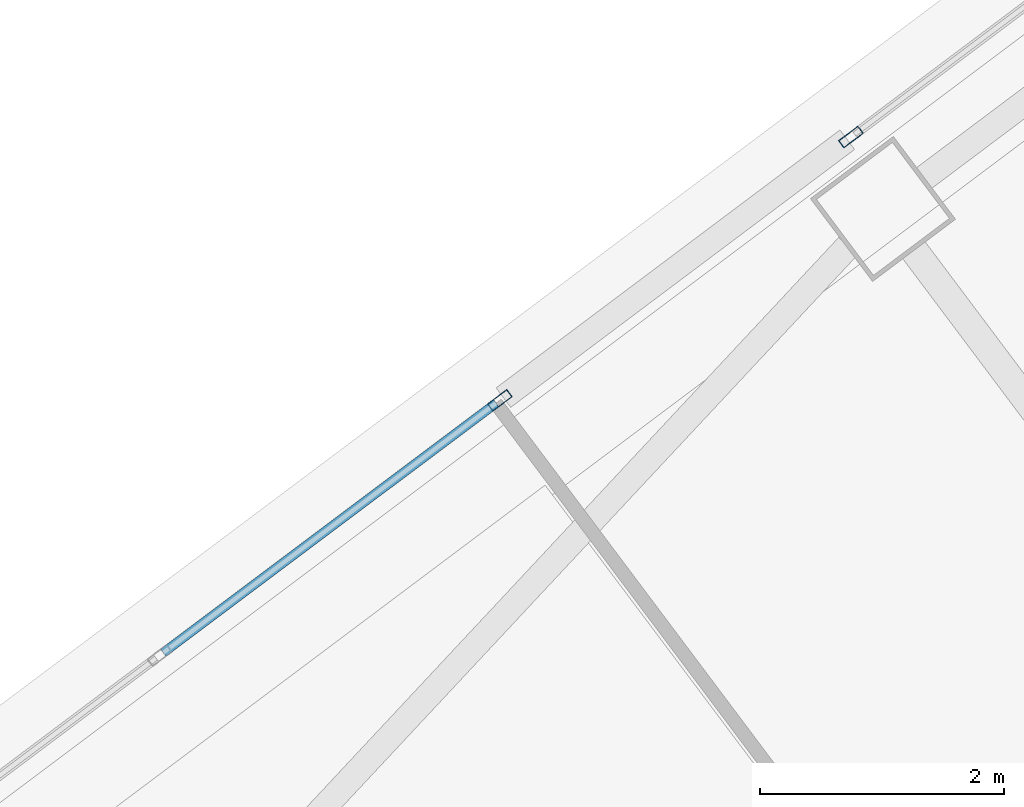
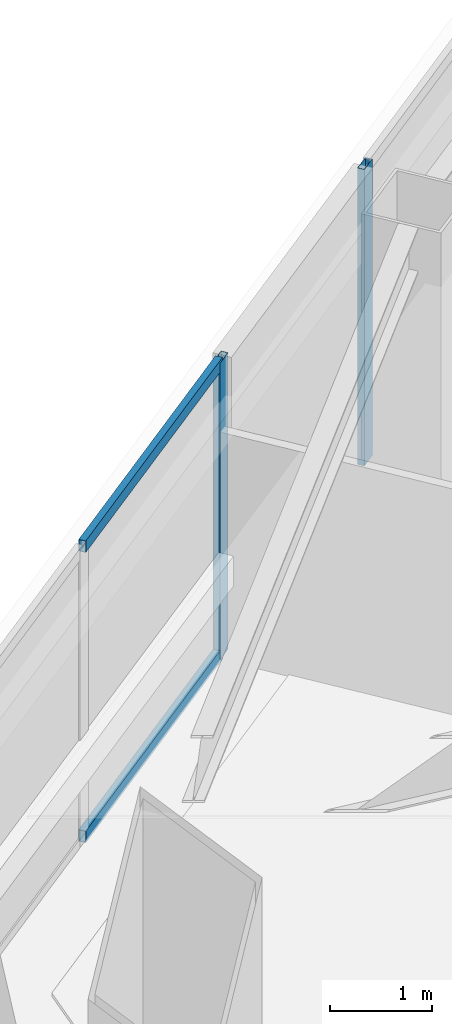
# One storey, part 28 of 46: 4 members, 2 elements without a shape of their own.
"""IFC4 building model written with IfcOpenShell, lengths in metres."""

from ifc_helpers import new_model, si_unit, direction, frame, origin, origin_2d, place, context, subcontext, project, spatial, hollow_rectangle, extrude, material, material_profile, profile_set, type_object, element, aggregate, save


model = new_model("IFC4")

# Units and contexts
model_context = context("Model", 3, precision=1e-05, world=origin(), true_north=direction((0.0, 1.0)))
body_context = subcontext(model_context, "Body", "Model", "MODEL_VIEW")
ifc_project = project(units=[si_unit("LENGTHUNIT", "METRE"), si_unit("AREAUNIT", "SQUARE_METRE"), si_unit("VOLUMEUNIT", "CUBIC_METRE"), si_unit("PLANEANGLEUNIT", "RADIAN"), si_unit("MASSUNIT", "GRAM", prefix="KILO")], contexts=[model_context])

# Site, building, storey
site_placement = place(None, origin())
site = spatial("IfcSite", under=ifc_project, at=site_placement, CompositionType="ELEMENT")
building_placement = place(site_placement, origin())
building = spatial("IfcBuilding", under=site, at=building_placement, Name="Tashvorn Skyway Center", CompositionType="ELEMENT")
storey_placement = place(building_placement, frame((0.0, 0.0, 132.14990234375)))
storey = spatial("IfcBuildingStorey", under=building, at=storey_placement, Name="L35", CompositionType="ELEMENT", Elevation=132.14990234375)

# Curtain wall, member
ifc_material = material(Name="Thermally broken bronze-anodized aluminium 6063-T6", Category="aluminium")
curtain_wall_type = type_object("IfcCurtainWallType", Name="CW-CW-Z3", PredefinedType="NOTDEFINED", material=ifc_material)
curtain_wall_1_placement = place(storey_placement, origin())
curtain_wall_1 = element("IfcCurtainWall", 1, at=curtain_wall_1_placement, inside=storey, type_object=curtain_wall_type, Name="Tower 2 L35 North Unitised Curtain Wall Glazing Group 1", PredefinedType="NOTDEFINED")
ifc_material_profile_1 = material_profile(ifc_material, hollow_rectangle(XDim=0.074951171875, YDim=0.199951171875, WallThickness=0.00439453125, at=origin_2d()), Name="ALU-MULL-75x200")
ifc_profile_set_1 = profile_set([ifc_material_profile_1], Name="Thermally broken bronze-anodized aluminium 6063-T6")
member_type_1 = type_object("IfcMemberType", Name="CWM-CW-Z3", PredefinedType="MULLION", material=ifc_profile_set_1)
member_1_placement = place(storey_placement, frame((95.944091796875, 41.30810546875, 0.0), z_axis=(0.0, 0.0, 1.0), x_axis=(-0.600004533995, 0.799996599484, 0.0)))
member_1 = element("IfcMember", 2, at=member_1_placement, type_object=member_type_1, Name="CW-Z3 mullion 3", PredefinedType="MULLION", context=body_context, shape_type="SweptSolid", body=[
    extrude(hollow_rectangle(XDim=0.074951171875, YDim=0.199951171875, WallThickness=0.00439453125, at=origin_2d()), origin(), (0.0, 0.0, 1.0), 3.550048828125),
])

curtain_wall_2_placement = place(storey_placement, origin())
curtain_wall_2 = element("IfcCurtainWall", 3, at=curtain_wall_2_placement, inside=storey, type_object=curtain_wall_type, Name="Tower 2 L35 North Unitised Curtain Wall Glazing Group 2", PredefinedType="NOTDEFINED")
member_2_placement = place(storey_placement, frame((98.827392578125, 43.470458984375, 0.0), z_axis=(0.0, 0.0, 1.0), x_axis=(-0.599996977339, 0.800002266987, 0.0)))
member_2 = element("IfcMember", 4, at=member_2_placement, type_object=member_type_1, Name="CW-Z3 mullion 1", PredefinedType="MULLION", context=body_context, shape_type="SweptSolid", body=[
    extrude(hollow_rectangle(XDim=0.074951171875, YDim=0.199951171875, WallThickness=0.00439453125, at=origin_2d()), origin(), (0.0, 0.0, 1.0), 3.550048828125),
])
aggregate(curtain_wall_2, [member_2])

# Member
ifc_material_profile_2 = material_profile(ifc_material, hollow_rectangle(XDim=0.074951171875, YDim=0.139892578125, WallThickness=0.004150390625, at=origin_2d()), Name="ALU-TRAN-75x140")
ifc_profile_set_2 = profile_set([ifc_material_profile_2], Name="Thermally broken bronze-anodized aluminium 6063-T6")
member_type_2 = type_object("IfcMemberType", Name="CWT-CW-Z3", PredefinedType="USERDEFINED", material=ifc_profile_set_2)
member_3_placement = place(storey_placement, frame((93.18115234375, 39.23583984375, 0.03759765625), z_axis=(0.800008575267, 0.59998856614, 0.0), x_axis=(-0.59998856614, 0.800008575267, 0.0)))
member_3 = element("IfcMember", 5, at=member_3_placement, type_object=member_type_2, Name="CW-Z3 transom 2.1", ObjectType="TRANSOM", PredefinedType="USERDEFINED", context=body_context, shape_type="SweptSolid", body=[
    extrude(hollow_rectangle(XDim=0.074951171875, YDim=0.139892578125, WallThickness=0.004150390625, at=origin_2d()), origin(), (0.0, 0.0, 1.0), 3.41650390625),
])

member_4_placement = place(storey_placement, frame((93.18115234375, 39.23583984375, 3.5126953125), z_axis=(0.800008575267, 0.59998856614, 0.0), x_axis=(-0.59998856614, 0.800008575267, 0.0)))
member_4 = element("IfcMember", 6, at=member_4_placement, type_object=member_type_2, Name="CW-Z3 transom 2.2", ObjectType="TRANSOM", PredefinedType="USERDEFINED", context=body_context, shape_type="SweptSolid", body=[
    extrude(hollow_rectangle(XDim=0.074951171875, YDim=0.139892578125, WallThickness=0.004150390625, at=origin_2d()), origin(), (0.0, 0.0, 1.0), 3.41650390625),
])

aggregate(curtain_wall_1, [member_1, member_3, member_4])

save(model, "model.ifc")
